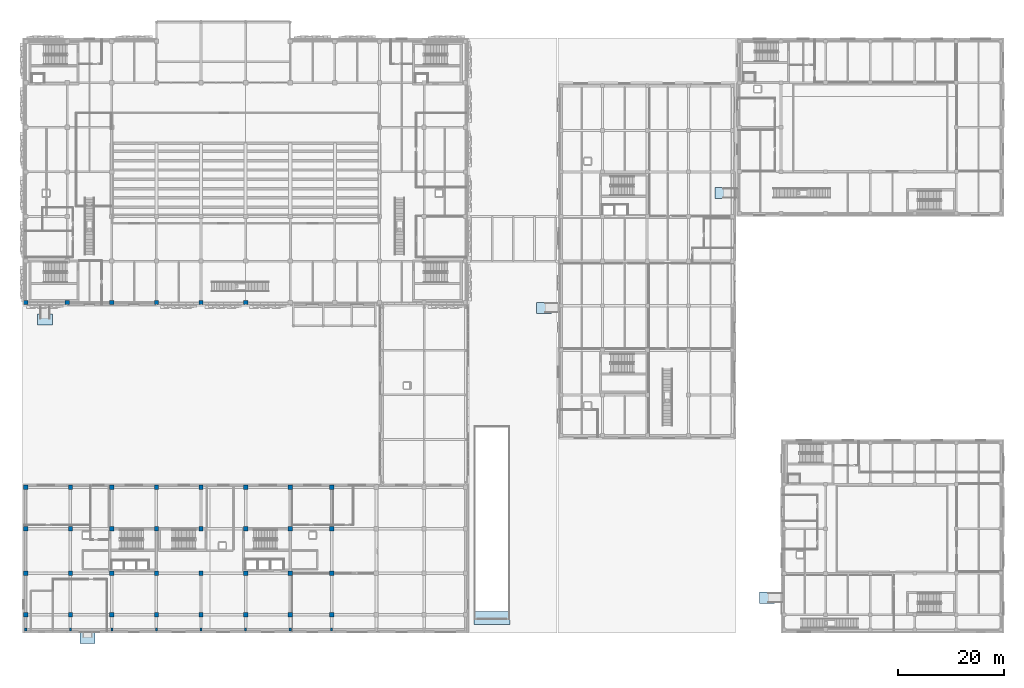
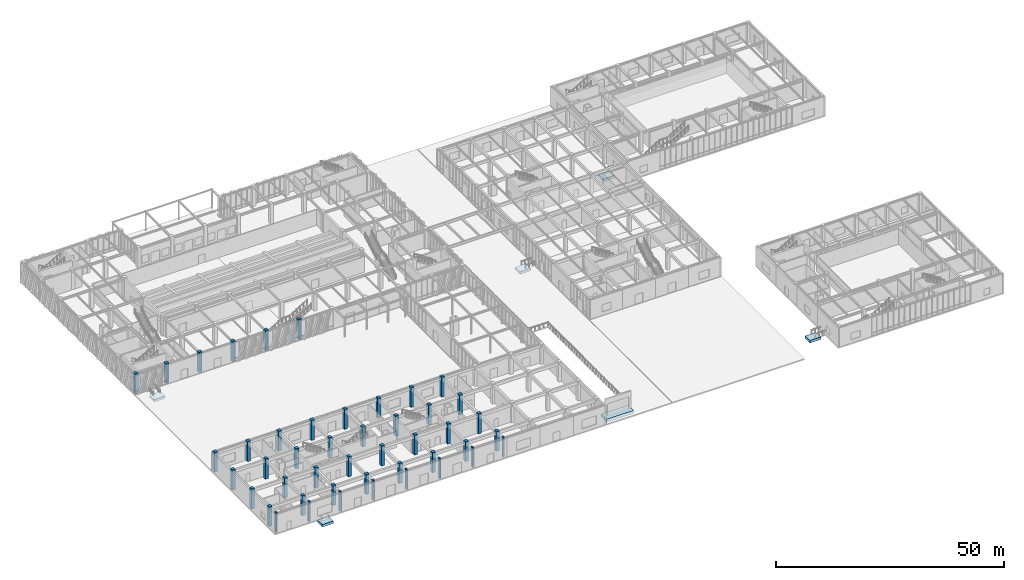
# One storey, part 1 of 122: 46 columns, 6 footings.
"""IFC4 building model written with IfcOpenShell, lengths in metres."""

import ifcopenshell
import ifcopenshell.guid

model = None  # the IFC model being written
_history = None  # IfcOwnerHistory: only IFC2X3 demands one
_inside = {}  # id of a spatial element -> (the spatial element, [elements in it])
_under = {}  # id of a project, library or spatial element -> (it, [spatial elements below it])
_declared = {}  # id of a project -> (the project, [libraries it declares])
_typed = {}  # id of a type object -> (the type object, [elements of that type])
_made_of = {}  # id of a material, layer set ... -> (it, [elements and type objects made of it])


def new_model(schema):
    """Start an empty IFC model of exactly this schema.

    Asked for "IFC4X3", IfcOpenShell would pick the latest addendum, in which some entities
    have other attributes; the version numbers below select the first issue.
    IFC2X3 requires an IfcOwnerHistory on every rooted entity: one is made here for all.
    """
    global model, _history
    if schema == "IFC4X3":
        model = ifcopenshell.file(schema_version=(4, 3, 0, 0))
    else:
        model = ifcopenshell.file(schema=schema)
    _inside.clear()
    _under.clear()
    _declared.clear()
    _typed.clear()
    _made_of.clear()
    _history = None
    if model.schema == "IFC2X3":
        org = make("IfcOrganization", Name="unknown")
        user = make(
            "IfcPersonAndOrganization",
            ThePerson=make("IfcPerson", FamilyName="unknown"),
            TheOrganization=org,
        )
        app = make(
            "IfcApplication",
            ApplicationDeveloper=org,
            Version="unknown",
            ApplicationFullName="unknown",
            ApplicationIdentifier="unknown",
        )
        _history = make(
            "IfcOwnerHistory",
            OwningUser=user,
            OwningApplication=app,
            ChangeAction="ADDED",
            CreationDate=0,
        )
    return model


def make(cls, **values):
    """One entity of the class cls with the attributes given. An attribute that is None is left unset."""
    return model.create_entity(
        cls, **{name: value for name, value in values.items() if value is not None}
    )


def rooted(cls, **values):
    """An entity with a GlobalId (a new one), such as an element, a storey or a relation."""
    return make(cls, GlobalId=ifcopenshell.guid.new(), OwnerHistory=_history, **values)


def si_unit(unit_type, name, prefix=None):
    """IfcSIUnit, for example si_unit("LENGTHUNIT", "METRE", prefix="MILLI")."""
    return make("IfcSIUnit", UnitType=unit_type, Prefix=prefix, Name=name)


def assignment(units):
    """IfcUnitAssignment: the units of a project."""
    return None if units is None else make("IfcUnitAssignment", Units=units)


def point(xyz):
    """IfcCartesianPoint."""
    return None if xyz is None else make("IfcCartesianPoint", Coordinates=xyz)


def direction(xyz):
    """IfcDirection."""
    return None if xyz is None else make("IfcDirection", DirectionRatios=xyz)


def frame(location, z_axis=None, x_axis=None):
    """IfcAxis2Placement3D, a coordinate frame: its origin and axes. An axis left out is left unset."""
    return make(
        "IfcAxis2Placement3D",
        Location=point(location),
        Axis=direction(z_axis),
        RefDirection=direction(x_axis),
    )


def frame_2d(location, x_axis=None):
    """IfcAxis2Placement2D, a coordinate frame in the plane: its origin and x axis."""
    return make(
        "IfcAxis2Placement2D", Location=point(location), RefDirection=direction(x_axis)
    )


def origin():
    """The frame at (0, 0, 0) with its axes left unset."""
    return frame((0.0, 0.0, 0.0))


def origin_2d():
    """The frame at (0, 0) in the plane with its x axis left unset."""
    return frame_2d((0.0, 0.0))


def place(relative_to, where):
    """IfcLocalPlacement: puts the frame where relative to a parent placement (None: the world)."""
    return make(
        "IfcLocalPlacement", PlacementRelTo=relative_to, RelativePlacement=where
    )


def context(
    kind, dimensions, precision=None, world=None, true_north=None, identifier=None
):
    """IfcGeometricRepresentationContext, for example the 3D "Model" context."""
    return make(
        "IfcGeometricRepresentationContext",
        ContextIdentifier=identifier,
        ContextType=kind,
        CoordinateSpaceDimension=dimensions,
        Precision=precision,
        WorldCoordinateSystem=world,
        TrueNorth=true_north,
    )


def subcontext(parent, identifier, kind, view, scale=None):
    """IfcGeometricRepresentationSubContext, for example "Body" below "Model"."""
    return make(
        "IfcGeometricRepresentationSubContext",
        ContextIdentifier=identifier,
        ContextType=kind,
        ParentContext=parent,
        TargetScale=scale,
        TargetView=view,
    )


def project(units=None, contexts=None):
    """IfcProject with its units and contexts."""
    return rooted(
        "IfcProject",
        Name="project",
        RepresentationContexts=contexts,
        UnitsInContext=assignment(units),
    )


def spatial(cls, under=None, at=None, **own):
    """A site, building, storey or space (cls), placed at a placement, below another one or the project."""
    s = rooted(cls, ObjectPlacement=at, **own)
    if under is not None:
        _under.setdefault(under.id(), (under, []))[1].append(s)
    return s


def profile(cls, at=None, kind="AREA", **sizes):
    """A parametric profile (cls). Its sizes go by their IFC names, for example OverallWidth=200.0."""
    return make(cls, ProfileType=kind, Position=at, **sizes)


def rectangle(**sizes):
    """IfcRectangleProfileDef."""
    return profile("IfcRectangleProfileDef", **sizes)


def extrude(swept, where, along, depth):
    """IfcExtrudedAreaSolid: the profile swept, set in the frame where, extruded along a direction by depth."""
    return make(
        "IfcExtrudedAreaSolid",
        SweptArea=swept,
        Position=where,
        ExtrudedDirection=direction(along),
        Depth=depth,
    )


def shape(context_of_items, identifier, shape_type, items):
    """IfcShapeRepresentation: the items that make up one representation, for example the "Body"."""
    return make(
        "IfcShapeRepresentation",
        ContextOfItems=context_of_items,
        RepresentationIdentifier=identifier,
        RepresentationType=shape_type,
        Items=items,
    )


def material(Name=None, Category=None):
    """IfcMaterial."""
    return make("IfcMaterial", Name=Name, Category=Category)


def material_profile(
    of_material, cross_section, Name=None, Category=None, Priority=None
):
    """IfcMaterialProfile: a cross section and its material."""
    return make(
        "IfcMaterialProfile",
        Name=Name,
        Material=of_material,
        Profile=cross_section,
        Priority=Priority,
        Category=Category,
    )


def profile_set(profiles, Name=None, composite=None):
    """IfcMaterialProfileSet."""
    return make(
        "IfcMaterialProfileSet",
        Name=Name,
        MaterialProfiles=profiles,
        CompositeProfile=composite,
    )


def made_of(thing, what):
    """Note that an element or type object is made of a material, layer set ...; save() writes the relation."""
    if what is not None:
        _made_of.setdefault(what.id(), (what, []))[1].append(thing)
    return thing


def type_object(cls, material=None, **own):
    """A type object (cls), such as IfcWallType, which elements share."""
    return made_of(rooted(cls, **own), material)


def element(
    cls,
    number,
    at=None,
    inside=None,
    cuts=None,
    type_object=None,
    material=None,
    context=None,
    identifier="Body",
    shape_type=None,
    held_by="IfcProductDefinitionShape",
    body=None,
    shapes=None,
    **own,
):
    """One element of the class cls, such as IfcWall. Its Tag is "e" and its number.

    at: its placement. inside: the storey or other place that contains it. cuts: it is an
    opening in that element (IfcRelVoidsElement). A single representation is given by context,
    identifier, shape_type and body (its items); several are given by shapes. held_by: the class
    of the entity that holds the representations. save() writes the other relations.
    """
    e = rooted(cls, Tag="e%d" % number, ObjectPlacement=at, **own)
    if body is not None:
        shapes = [shape(context, identifier, shape_type, body)]
    if shapes is not None:
        e.Representation = make(held_by, Representations=shapes)
    if inside is not None:
        _inside.setdefault(inside.id(), (inside, []))[1].append(e)
    if cuts is not None:
        rooted(
            "IfcRelVoidsElement", RelatingBuildingElement=cuts, RelatedOpeningElement=e
        )
    if type_object is not None:
        _typed.setdefault(type_object.id(), (type_object, []))[1].append(e)
    return made_of(e, material)


def aggregate(whole, parts):
    """IfcRelAggregates: a whole, such as a stair, and the parts it consists of."""
    return rooted("IfcRelAggregates", RelatingObject=whole, RelatedObjects=parts)


def save(model, path):
    """Write the relations noted so far, then the file.

    IfcRelAggregates (storeys below a building ...), IfcRelContainedInSpatialStructure (elements
    in a storey), IfcRelDefinesByType, IfcRelAssociatesMaterial and IfcRelDeclares: one each for
    every whole, place, type object, material and project.
    """
    for whole, parts in _under.values():
        aggregate(whole, parts)
    for where, things in _inside.values():
        rooted(
            "IfcRelContainedInSpatialStructure",
            RelatedElements=things,
            RelatingStructure=where,
        )
    for kind, things in _typed.values():
        rooted("IfcRelDefinesByType", RelatedObjects=things, RelatingType=kind)
    for what, things in _made_of.values():
        rooted("IfcRelAssociatesMaterial", RelatedObjects=things, RelatingMaterial=what)
    for by, libraries in _declared.values():
        rooted("IfcRelDeclares", RelatingContext=by, RelatedDefinitions=libraries)
    model.write(path)


model = new_model("IFC4")

# Units and contexts
model_context = context("Model", 3, precision=1e-05, world=origin(), true_north=direction((0.0, 1.0)))
body_context = subcontext(model_context, "Body", "Model", "MODEL_VIEW")
ifc_project = project(units=[si_unit("LENGTHUNIT", "METRE"), si_unit("AREAUNIT", "SQUARE_METRE"), si_unit("VOLUMEUNIT", "CUBIC_METRE"), si_unit("PLANEANGLEUNIT", "RADIAN"), si_unit("MASSUNIT", "GRAM", prefix="KILO")], contexts=[model_context])

# Site, building, storey
site_placement = place(None, origin())
site = spatial("IfcSite", under=ifc_project, at=site_placement, CompositionType="ELEMENT")
building_placement = place(site_placement, origin())
building = spatial("IfcBuilding", under=site, at=building_placement, Name="Zayran Congress Hotel", CompositionType="ELEMENT")
storey_placement = place(building_placement, origin())
storey = spatial("IfcBuildingStorey", under=building, at=storey_placement, Name="L00", CompositionType="ELEMENT", Elevation=0.0)

# Footings
ifc_material = material(Name="Concrete C40/50", Category="concrete")
footing_type_1 = type_object("IfcFootingType", Name="TP-PF-05", PredefinedType="PAD_FOOTING", material=ifc_material)
footing_placement = place(storey_placement, frame((96.800048828125, 8.800048828125, -0.7998046875), z_axis=(0.0, 0.0, 1.0), x_axis=(1.0, 0.0, 0.0)))
element("IfcFooting", 1, at=footing_placement, inside=storey, type_object=footing_type_1, Name="FTG-PAD-01", PredefinedType="PAD_FOOTING", context=body_context, shape_type="SweptSolid", body=[
    extrude(rectangle(XDim=6.800048828125, YDim=2.39990234375, at=origin_2d()), origin(), (0.0, 0.0, 1.0), 0.800048828125),
])
footing_type_2 = type_object("IfcFootingType", Name="TP-PF-06", PredefinedType="PAD_FOOTING", material=ifc_material)
for number, where, z_axis, x_axis, name in (
    (2, (12.60009765625, 65.0, -0.7548828125), (0.0, 0.0, 1.0), (1.0, 0.0, 0.0), "FTG-PAD-02"),
    (3, (20.60009765625, 5.050048828125, -0.71484375), (0.0, 0.0, 1.0), (1.0, 0.0, 0.0), "FTG-PAD-03"),
    (4, (140.199951171875, 88.800048828125, -0.764892578125), (0.0, 0.0, 1.0), (1.0, 0.0, 0.0), "FTG-PAD-04"),
    (5, (148.60009765625, 12.60009765625, -0.764892578125), (0.0, 0.0, 1.0), (1.0, 0.0, 0.0), "FTG-PAD-05"),
    (6, (106.60009765625, 67.199951171875, -0.764892578125), (0.0, 0.0, 1.0), (1.0, 0.0, 0.0), "FTG-PAD-06"),
):
    element("IfcFooting", number, at=place(storey_placement, frame(where, z_axis=z_axis, x_axis=x_axis)), inside=storey, type_object=footing_type_2, Name=name, PredefinedType="PAD_FOOTING", context=body_context, shape_type="SweptSolid", body=[
        extrude(rectangle(XDim=2.800048828125, YDim=2.10009765625, at=origin_2d()), origin(), (0.0, 0.0, 1.0), 0.64990234375),
    ])

# Columns
ifc_material_profile_1 = material_profile(ifc_material, rectangle(XDim=0.800048828125, YDim=0.800048828125, at=origin_2d()), Name="RC 800x800")
ifc_profile_set_1 = profile_set([ifc_material_profile_1], Name="Concrete C40/50")
column_type_1 = type_object("IfcColumnType", Name="TP-CL-02", PredefinedType="COLUMN", material=ifc_profile_set_1)
for number, where, z_axis, x_axis, name in (
    (7, (9.0, 68.199951171875, 0.0), (0.0, 0.0, 1.0), (1.0, 0.0, 0.0), "COL-V1-L00-0253"),
    (8, (16.800048828125, 68.199951171875, 0.0), (0.0, 0.0, 1.0), (1.0, 0.0, 0.0), "COL-V1-L00-0260"),
    (9, (25.199951171875, 68.199951171875, 0.0), (0.0, 0.0, 1.0), (1.0, 0.0, 0.0), "COL-V1-L00-0267"),
    (10, (33.60009765625, 68.199951171875, 0.0), (0.0, 0.0, 1.0), (1.0, 0.0, 0.0), "COL-V1-L00-0274"),
    (11, (42.0, 68.199951171875, 0.0), (0.0, 0.0, 1.0), (1.0, 0.0, 0.0), "COL-V1-L00-0279"),
    (12, (50.39990234375, 68.199951171875, 0.0), (0.0, 0.0, 1.0), (1.0, 0.0, 0.0), "COL-V1-L00-0284"),
    (13, (9.0, 9.39990234375, 0.0), (0.0, 0.0, 1.0), (1.0, 0.0, 0.0), "COL-V5-L00-0878"),
    (14, (9.0, 17.199951171875, 0.0), (0.0, 0.0, 1.0), (1.0, 0.0, 0.0), "COL-V5-L00-0879"),
    (15, (9.0, 25.60009765625, 0.0), (0.0, 0.0, 1.0), (1.0, 0.0, 0.0), "COL-V5-L00-0880"),
    (16, (9.0, 33.39990234375, 0.0), (0.0, 0.0, 1.0), (1.0, 0.0, 0.0), "COL-V5-L00-0881"),
    (17, (17.39990234375, 9.39990234375, 0.0), (0.0, 0.0, 1.0), (1.0, 0.0, 0.0), "COL-V5-L00-0883"),
    (18, (17.39990234375, 17.199951171875, 0.0), (0.0, 0.0, 1.0), (1.0, 0.0, 0.0), "COL-V5-L00-0884"),
    (19, (17.39990234375, 25.60009765625, 0.0), (0.0, 0.0, 1.0), (1.0, 0.0, 0.0), "COL-V5-L00-0885"),
    (20, (17.39990234375, 33.39990234375, 0.0), (0.0, 0.0, 1.0), (1.0, 0.0, 0.0), "COL-V5-L00-0886"),
    (21, (25.199951171875, 9.39990234375, 0.0), (0.0, 0.0, 1.0), (1.0, 0.0, 0.0), "COL-V5-L00-0888"),
    (22, (25.199951171875, 17.199951171875, 0.0), (0.0, 0.0, 1.0), (1.0, 0.0, 0.0), "COL-V5-L00-0889"),
    (23, (25.199951171875, 25.60009765625, 0.0), (0.0, 0.0, 1.0), (1.0, 0.0, 0.0), "COL-V5-L00-0890"),
    (24, (25.199951171875, 33.39990234375, 0.0), (0.0, 0.0, 1.0), (1.0, 0.0, 0.0), "COL-V5-L00-0891"),
    (25, (33.60009765625, 9.39990234375, 0.0), (0.0, 0.0, 1.0), (1.0, 0.0, 0.0), "COL-V5-L00-0893"),
    (26, (33.60009765625, 17.199951171875, 0.0), (0.0, 0.0, 1.0), (1.0, 0.0, 0.0), "COL-V5-L00-0894"),
    (27, (33.60009765625, 25.60009765625, 0.0), (0.0, 0.0, 1.0), (1.0, 0.0, 0.0), "COL-V5-L00-0895"),
    (28, (33.60009765625, 33.39990234375, 0.0), (0.0, 0.0, 1.0), (1.0, 0.0, 0.0), "COL-V5-L00-0896"),
    (29, (42.0, 9.39990234375, 0.0), (0.0, 0.0, 1.0), (1.0, 0.0, 0.0), "COL-V5-L00-0898"),
    (30, (42.0, 17.199951171875, 0.0), (0.0, 0.0, 1.0), (1.0, 0.0, 0.0), "COL-V5-L00-0899"),
    (31, (42.0, 25.60009765625, 0.0), (0.0, 0.0, 1.0), (1.0, 0.0, 0.0), "COL-V5-L00-0900"),
    (32, (42.0, 33.39990234375, 0.0), (0.0, 0.0, 1.0), (1.0, 0.0, 0.0), "COL-V5-L00-0901"),
    (33, (50.39990234375, 9.39990234375, 0.0), (0.0, 0.0, 1.0), (1.0, 0.0, 0.0), "COL-V5-L00-0903"),
    (34, (50.39990234375, 17.199951171875, 0.0), (0.0, 0.0, 1.0), (1.0, 0.0, 0.0), "COL-V5-L00-0904"),
    (35, (50.39990234375, 25.60009765625, 0.0), (0.0, 0.0, 1.0), (1.0, 0.0, 0.0), "COL-V5-L00-0905"),
    (36, (50.39990234375, 33.39990234375, 0.0), (0.0, 0.0, 1.0), (1.0, 0.0, 0.0), "COL-V5-L00-0906"),
    (37, (58.800048828125, 9.39990234375, 0.0), (0.0, 0.0, 1.0), (1.0, 0.0, 0.0), "COL-V5-L00-0908"),
    (38, (58.800048828125, 17.199951171875, 0.0), (0.0, 0.0, 1.0), (1.0, 0.0, 0.0), "COL-V5-L00-0909"),
    (39, (58.800048828125, 25.60009765625, 0.0), (0.0, 0.0, 1.0), (1.0, 0.0, 0.0), "COL-V5-L00-0910"),
    (40, (58.800048828125, 33.39990234375, 0.0), (0.0, 0.0, 1.0), (1.0, 0.0, 0.0), "COL-V5-L00-0911"),
    (41, (66.60009765625, 9.39990234375, 0.0), (0.0, 0.0, 1.0), (1.0, 0.0, 0.0), "COL-V5-L00-0913"),
    (42, (66.60009765625, 17.199951171875, 0.0), (0.0, 0.0, 1.0), (1.0, 0.0, 0.0), "COL-V5-L00-0914"),
    (43, (66.60009765625, 25.60009765625, 0.0), (0.0, 0.0, 1.0), (1.0, 0.0, 0.0), "COL-V5-L00-0915"),
    (44, (66.60009765625, 33.39990234375, 0.0), (0.0, 0.0, 1.0), (1.0, 0.0, 0.0), "COL-V5-L00-0916"),
):
    element("IfcColumn", number, at=place(storey_placement, frame(where, z_axis=z_axis, x_axis=x_axis)), inside=storey, type_object=column_type_1, Name=name, PredefinedType="COLUMN", context=body_context, shape_type="SweptSolid", body=[
        extrude(rectangle(XDim=0.800048828125, YDim=0.800048828125, at=origin_2d()), origin(), (0.0, 0.0, 1.0), 5.39990234375),
    ])
ifc_material_profile_2 = material_profile(ifc_material, rectangle(XDim=0.39990234375, YDim=0.60009765625, at=origin_2d()), Name="RC 600x400")
ifc_profile_set_2 = profile_set([ifc_material_profile_2], Name="Concrete C40/50")
column_type_2 = type_object("IfcColumnType", Name="TP-CL-06", PredefinedType="PILASTER", material=ifc_profile_set_2)
for number, where, z_axis, x_axis, name in (
    (45, (9.0, 6.60009765625, 0.0), (0.0, 0.0, 1.0), (1.0, 0.0, 0.0), "COL-V5-L00-0877"),
    (46, (17.39990234375, 6.60009765625, 0.0), (0.0, 0.0, 1.0), (1.0, 0.0, 0.0), "COL-V5-L00-0882"),
    (47, (25.199951171875, 6.60009765625, 0.0), (0.0, 0.0, 1.0), (1.0, 0.0, 0.0), "COL-V5-L00-0887"),
    (48, (33.60009765625, 6.60009765625, 0.0), (0.0, 0.0, 1.0), (1.0, 0.0, 0.0), "COL-V5-L00-0892"),
    (49, (42.0, 6.60009765625, 0.0), (0.0, 0.0, 1.0), (1.0, 0.0, 0.0), "COL-V5-L00-0897"),
    (50, (50.39990234375, 6.60009765625, 0.0), (0.0, 0.0, 1.0), (1.0, 0.0, 0.0), "COL-V5-L00-0902"),
    (51, (58.800048828125, 6.60009765625, 0.0), (0.0, 0.0, 1.0), (1.0, 0.0, 0.0), "COL-V5-L00-0907"),
    (52, (66.60009765625, 6.60009765625, 0.0), (0.0, 0.0, 1.0), (1.0, 0.0, 0.0), "COL-V5-L00-0912"),
):
    element("IfcColumn", number, at=place(storey_placement, frame(where, z_axis=z_axis, x_axis=x_axis)), inside=storey, type_object=column_type_2, Name=name, PredefinedType="PILASTER", context=body_context, shape_type="SweptSolid", body=[
        extrude(rectangle(XDim=0.39990234375, YDim=0.60009765625, at=origin_2d()), origin(), (0.0, 0.0, 1.0), 5.39990234375),
    ])

save(model, "model.ifc")
